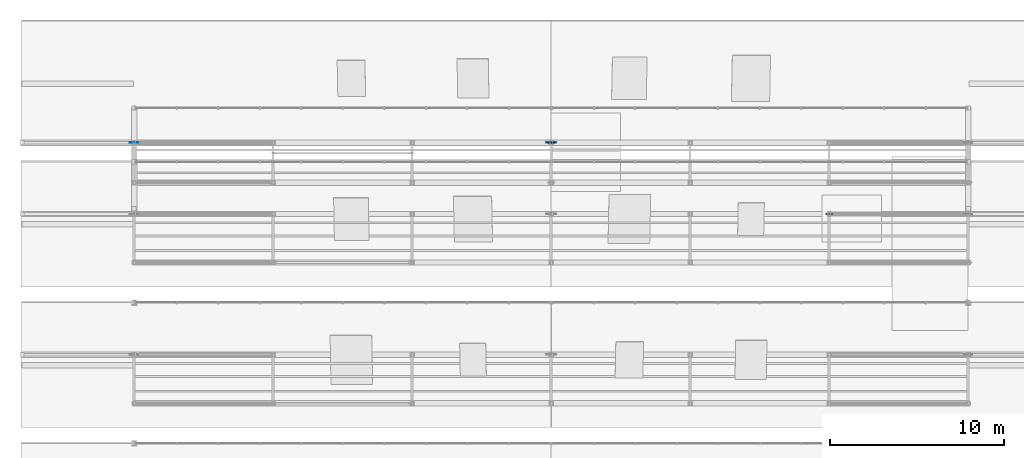
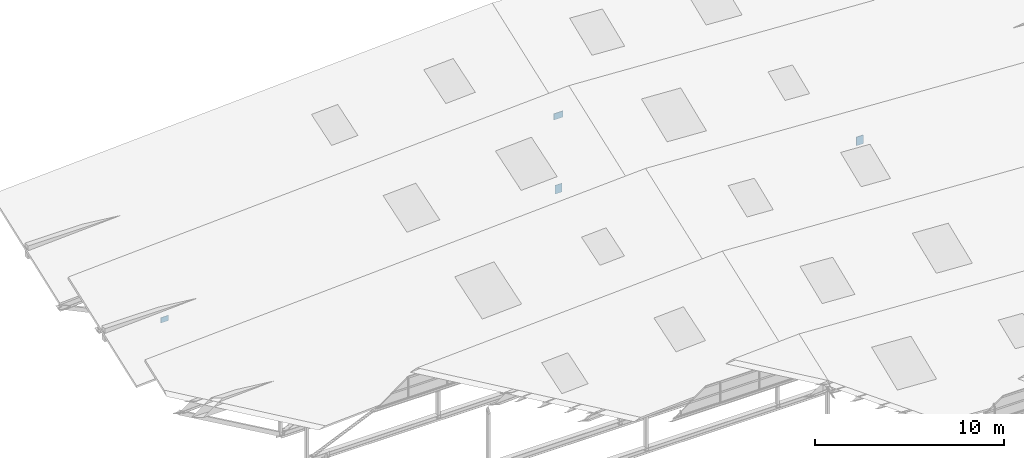
# One storey, part 137 of 141: 4 plates.
"""IFC4 building model written with IfcOpenShell, lengths in metres."""

from ifc_helpers import new_model, si_unit, direction, frame, origin, origin_2d, place, context, subcontext, project, spatial, rectangle, extrude, material, layer, layer_set, type_object, element, save


model = new_model("IFC4")

# Units and contexts
model_context = context("Model", 3, precision=1e-05, world=origin(), true_north=direction((0.0, 1.0)))
body_context = subcontext(model_context, "Body", "Model", "MODEL_VIEW")
ifc_project = project(units=[si_unit("LENGTHUNIT", "METRE"), si_unit("AREAUNIT", "SQUARE_METRE"), si_unit("VOLUMEUNIT", "CUBIC_METRE"), si_unit("PLANEANGLEUNIT", "RADIAN"), si_unit("MASSUNIT", "GRAM", prefix="KILO")], contexts=[model_context])

# Site, building, storey
site_placement = place(None, origin())
site = spatial("IfcSite", under=ifc_project, at=site_placement, CompositionType="ELEMENT")
building_placement = place(site_placement, origin())
building = spatial("IfcBuilding", under=site, at=building_placement, Name="Sundkrona Museum", CompositionType="ELEMENT")
storey_placement = place(building_placement, frame((0.0, 0.0, 34.0)))
storey = spatial("IfcBuildingStorey", under=building, at=storey_placement, Name="RF", CompositionType="ELEMENT", Elevation=34.0)

# Plates
ifc_material = material(Name="Steel S355J2", Category="steel")
ifc_layer_1 = layer(ifc_material, 0.034912109375)
ifc_layer_set_1 = layer_set([ifc_layer_1], Name="Steel S355J2")
plate_type_1 = type_object("IfcPlateType", Name="EP-1", PredefinedType="USERDEFINED", material=ifc_layer_set_1)
for number, where, z_axis, x_axis, name in (
    (1, (160.0, 39.699951171875, -0.530029296875), (0.0, 0.0, 1.0), (1.0, 0.0, 0.0), "Core Wall Cast-In Embed Plate SAW-B6-DG-6-1"),
    (2, (144.0, 43.800048828125, -0.530029296875), (0.0, 0.0, 1.0), (1.0, 0.0, 0.0), "Core Wall Cast-In Embed Plate SAW-B7-VP-4-1"),
):
    element("IfcPlate", number, at=place(storey_placement, frame(where, z_axis=z_axis, x_axis=x_axis)), inside=storey, type_object=plate_type_1, Name=name, ObjectType="GUSSET PLATE", PredefinedType="USERDEFINED", context=body_context, shape_type="SweptSolid", body=[
        extrude(rectangle(XDim=0.419921875, YDim=0.034912109375, at=origin_2d()), origin(), (0.0, 0.0, 1.0), 0.56005859375),
    ])
ifc_layer_2 = layer(ifc_material, 0.030029296875)
ifc_layer_set_2 = layer_set([ifc_layer_2], Name="Steel S355J2")
plate_type_2 = type_object("IfcPlateType", Name="GP-3", PredefinedType="USERDEFINED", material=ifc_layer_set_2)
plate_1_placement = place(storey_placement, frame((144.0, 43.800048828125, 4.273681640625), z_axis=(0.0, 0.0, 1.0), x_axis=(1.0, 0.0, 0.0)))
element("IfcPlate", 3, at=plate_1_placement, inside=storey, type_object=plate_type_2, Name="Sawtooth Truss 7 Ridge Gusset", ObjectType="GUSSET PLATE", PredefinedType="USERDEFINED", context=body_context, shape_type="SweptSolid", body=[
    extrude(rectangle(XDim=0.56005859375, YDim=0.030029296875, at=origin_2d()), origin(), (0.0, 0.0, 1.0), 0.39990234375),
])
ifc_layer_3 = layer(ifc_material, 0.02490234375)
ifc_layer_set_3 = layer_set([ifc_layer_3], Name="Steel S355J2")
plate_type_3 = type_object("IfcPlateType", Name="GP-4", PredefinedType="USERDEFINED", material=ifc_layer_set_3)
plate_2_placement = place(storey_placement, frame((120.0, 43.800048828125, -0.419921875), z_axis=(0.0, 0.0, 1.0), x_axis=(1.0, 0.0, 0.0)))
element("IfcPlate", 4, at=plate_2_placement, inside=storey, type_object=plate_type_3, Name="Sawtooth Truss 7 West Bearing Gusset", ObjectType="GUSSET PLATE", PredefinedType="USERDEFINED", context=body_context, shape_type="SweptSolid", body=[
    extrude(rectangle(XDim=0.47998046875, YDim=0.02490234375, at=origin_2d()), origin(), (0.0, 0.0, 1.0), 0.340087890625),
])

save(model, "model.ifc")
